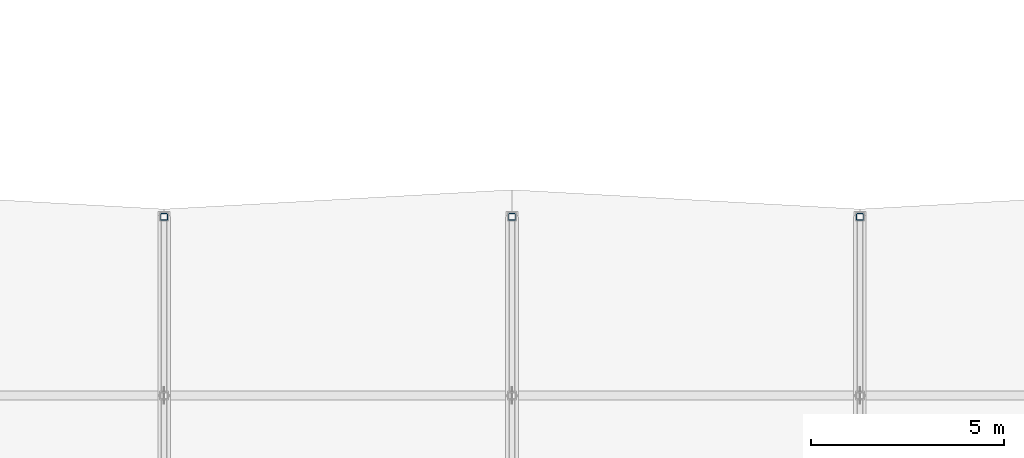
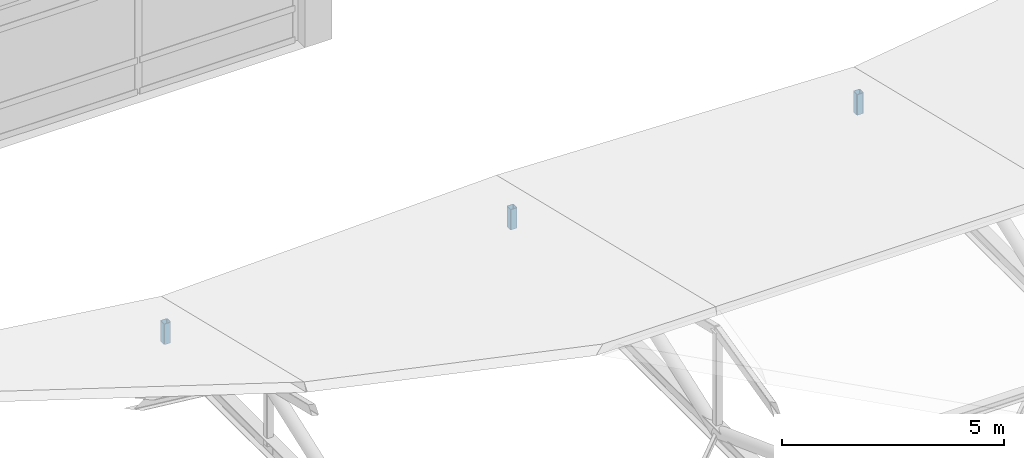
# One storey, part 48 of 90: 3 members.
"""IFC4 building model written with IfcOpenShell, lengths in metres."""

from ifc_helpers import new_model, si_unit, direction, frame, origin, origin_2d, place, context, subcontext, project, spatial, hollow_rectangle, extrude, material, material_profile, profile_set, type_object, element, save


model = new_model("IFC4")

# Units and contexts
model_context = context("Model", 3, precision=1e-05, world=origin(), true_north=direction((0.0, 1.0)))
body_context = subcontext(model_context, "Body", "Model", "MODEL_VIEW")
ifc_project = project(units=[si_unit("LENGTHUNIT", "METRE"), si_unit("AREAUNIT", "SQUARE_METRE"), si_unit("VOLUMEUNIT", "CUBIC_METRE"), si_unit("PLANEANGLEUNIT", "RADIAN"), si_unit("MASSUNIT", "GRAM", prefix="KILO")], contexts=[model_context])

# Site, building, storey
site_placement = place(None, origin())
site = spatial("IfcSite", under=ifc_project, at=site_placement, CompositionType="ELEMENT")
building_placement = place(site_placement, origin())
building = spatial("IfcBuilding", under=site, at=building_placement, Name="Bozkorgan Art Gallery", CompositionType="ELEMENT")
storey_placement = place(building_placement, frame((0.0, 0.0, 5.39990234375)))
storey = spatial("IfcBuildingStorey", under=building, at=storey_placement, Name="L01", CompositionType="ELEMENT", Elevation=5.39990234375)

# Members
ifc_material = material(Name="Steel S355J2", Category="steel")
ifc_material_profile = material_profile(ifc_material, hollow_rectangle(XDim=0.179931640625, YDim=0.179931640625, WallThickness=0.010009765625, InnerFilletRadius=0.014892578125, OuterFilletRadius=0.02490234375, at=origin_2d()), Name="SHS 180x180x10")
ifc_profile_set = profile_set([ifc_material_profile], Name="Steel S355J2")
member_type = type_object("IfcMemberType", Name="MEMBER-TP-98", PredefinedType="POST", material=ifc_profile_set)
member_1_placement = place(storey_placement, frame((92.0, 29.35009765625, 0.22509765625), z_axis=(0.0, 0.0, 1.0), x_axis=(1.0, 0.0, 0.0)))
element("IfcMember", 1, at=member_1_placement, inside=storey, type_object=member_type, Name="ROOF-V3-BOWL roof truss 2 post 4", PredefinedType="POST", context=body_context, shape_type="SweptSolid", body=[
    extrude(hollow_rectangle(XDim=0.179931640625, YDim=0.179931640625, WallThickness=0.010009765625, InnerFilletRadius=0.014892578125, OuterFilletRadius=0.02490234375, at=origin_2d()), origin(), (0.0, 0.0, 1.0), 0.56787109375),
])
member_2_placement = place(storey_placement, frame((101.0, 29.35009765625, 0.22509765625), z_axis=(0.0, 0.0, 1.0), x_axis=(1.0, 0.0, 0.0)))
element("IfcMember", 2, at=member_2_placement, inside=storey, type_object=member_type, Name="ROOF-V3-BOWL roof truss 3 post 4", PredefinedType="POST", context=body_context, shape_type="SweptSolid", body=[
    extrude(hollow_rectangle(XDim=0.179931640625, YDim=0.179931640625, WallThickness=0.010009765625, InnerFilletRadius=0.014892578125, OuterFilletRadius=0.02490234375, at=origin_2d()), origin(), (0.0, 0.0, 1.0), 0.559814453125),
])
member_3_placement = place(storey_placement, frame((110.0, 29.35009765625, 0.22509765625), z_axis=(0.0, 0.0, 1.0), x_axis=(1.0, 0.0, 0.0)))
element("IfcMember", 3, at=member_3_placement, inside=storey, type_object=member_type, Name="ROOF-V3-BOWL roof truss 4 post 4", PredefinedType="POST", context=body_context, shape_type="SweptSolid", body=[
    extrude(hollow_rectangle(XDim=0.179931640625, YDim=0.179931640625, WallThickness=0.010009765625, InnerFilletRadius=0.014892578125, OuterFilletRadius=0.02490234375, at=origin_2d()), origin(), (0.0, 0.0, 1.0), 0.56787109375),
])

save(model, "model.ifc")
